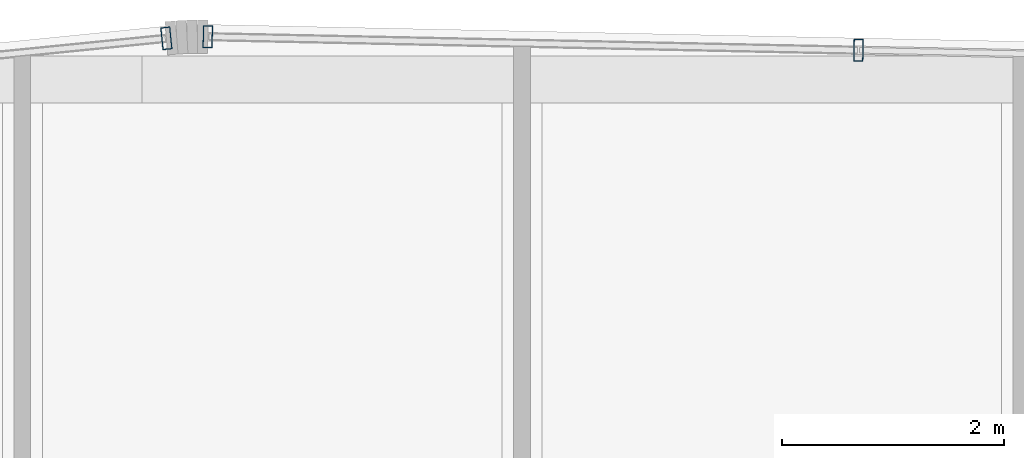
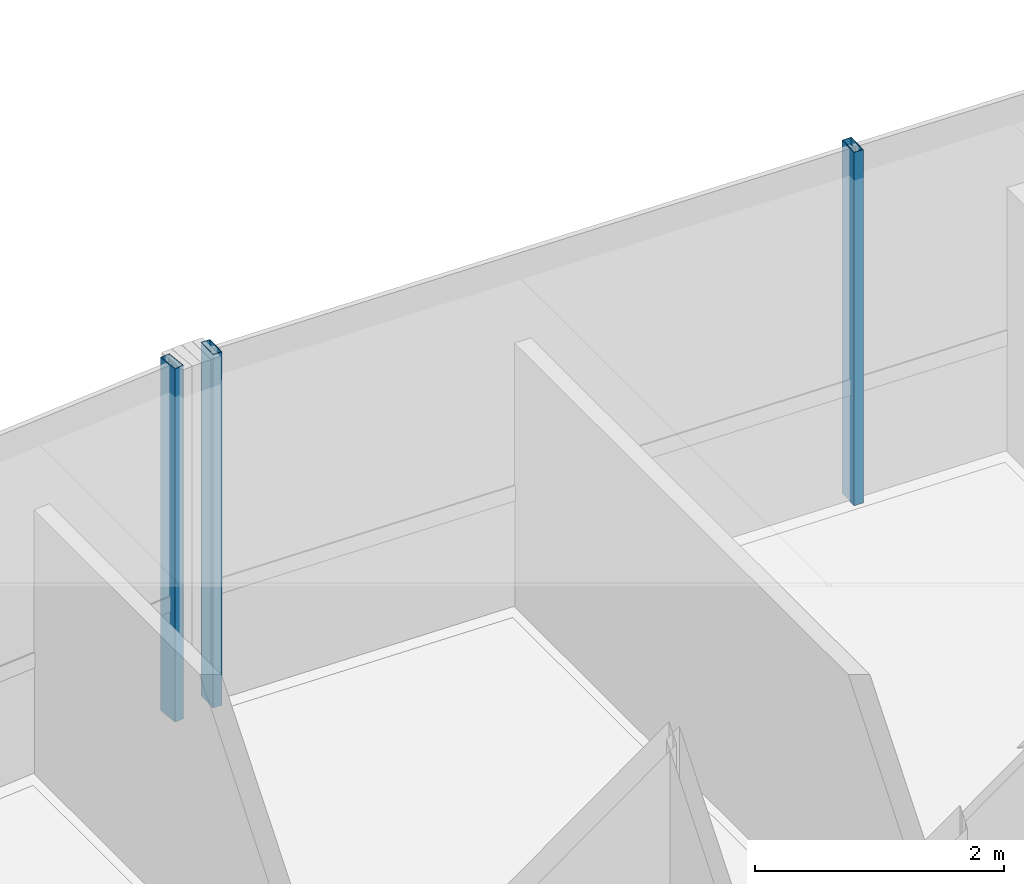
# One storey, part 25 of 50: 3 members, 2 elements without a shape of their own.
"""IFC4 building model written with IfcOpenShell, lengths in metres."""

from ifc_helpers import new_model, si_unit, direction, frame, origin, origin_2d, place, context, subcontext, project, spatial, hollow_rectangle, extrude, source, transform, mapped, material, material_profile, profile_set, type_object, element, aggregate, save


model = new_model("IFC4")

# Units and contexts
model_context = context("Model", 3, precision=1e-05, world=origin(), true_north=direction((0.0, 1.0)))
body_context = subcontext(model_context, "Body", "Model", "MODEL_VIEW")
ifc_project = project(units=[si_unit("LENGTHUNIT", "METRE"), si_unit("AREAUNIT", "SQUARE_METRE"), si_unit("VOLUMEUNIT", "CUBIC_METRE"), si_unit("PLANEANGLEUNIT", "RADIAN"), si_unit("MASSUNIT", "GRAM", prefix="KILO")], contexts=[model_context])

# Site, building, storey
site_placement = place(None, origin())
site = spatial("IfcSite", under=ifc_project, at=site_placement, CompositionType="ELEMENT")
building_placement = place(site_placement, origin())
building = spatial("IfcBuilding", under=site, at=building_placement, Name="Valdorenza Pilgrim Sanctuary Tower", CompositionType="ELEMENT")
storey_placement = place(building_placement, frame((0.0, 0.0, 26.0)))
storey = spatial("IfcBuildingStorey", under=building, at=storey_placement, Name="L05", CompositionType="ELEMENT", Elevation=26.0)

# Curtain wall, member
ifc_material_1 = material(Name="Curtain-wall IGU glazing", Category="glass")
curtain_wall_type = type_object("IfcCurtainWallType", Name="CW-SYS-02", PredefinedType="NOTDEFINED", material=ifc_material_1)
curtain_wall_1_placement = place(storey_placement, origin())
curtain_wall_1 = element("IfcCurtainWall", 1, at=curtain_wall_1_placement, inside=storey, type_object=curtain_wall_type, Name="L05 Curtain Wall CW-L05-1-6", PredefinedType="NOTDEFINED")
ifc_material_2 = material(Name="Anodised aluminium AW-6060", Category="aluminium")
ifc_material_profile = material_profile(ifc_material_2, hollow_rectangle(XDim=0.0849609375, YDim=0.199951171875, WallThickness=0.0048828125, at=origin_2d()), Name="ALU-M 200x85x5")
ifc_profile_set = profile_set([ifc_material_profile], Name="Anodised aluminium AW-6060")
member_type = type_object("IfcMemberType", Name="CW-MUL-02", PredefinedType="MULLION", material=ifc_profile_set)
shared_shape = source(origin(), body_context, "Body", "SweptSolid", [
    extrude(hollow_rectangle(XDim=0.0849609375, YDim=0.199951171875, WallThickness=0.0048828125, at=origin_2d()), origin(), (0.0, 0.0, 1.0), 3.4599609375),
])
member_1_placement = place(storey_placement, frame((-12.181884765625, 21.371337890625, 0.0), z_axis=(0.0, 0.0, 1.0), x_axis=(0.995038220239, 0.099493418189, 0.0)))
member_1 = element("IfcMember", 2, at=member_1_placement, type_object=member_type, Name="CW-L05-1-6 Mullion 4", PredefinedType="MULLION", context=body_context, shape_type="MappedRepresentation", body=[
    mapped(shared_shape, transform((0.0, 0.0, 0.0), x_axis=(1.0, 0.0, 0.0), y_axis=(0.0, 1.0, 0.0), z_axis=(0.0, 0.0, 1.0), scale=1.0)),
])
aggregate(curtain_wall_1, [member_1])

# Curtain wall, members
curtain_wall_2_placement = place(storey_placement, origin())
curtain_wall_2 = element("IfcCurtainWall", 3, at=curtain_wall_2_placement, inside=storey, type_object=curtain_wall_type, Name="L05 Curtain Wall CW-L05-1-11", PredefinedType="NOTDEFINED")
member_2_placement = place(storey_placement, frame((-11.808349609375, 21.385986328125, 0.0), z_axis=(0.0, 0.0, 1.0), x_axis=(0.999783234613, -0.020820273474, 0.0)))
member_2 = element("IfcMember", 4, at=member_2_placement, type_object=member_type, Name="CW-L05-1-11 Mullion 1", PredefinedType="MULLION", context=body_context, shape_type="MappedRepresentation", body=[
    mapped(shared_shape, transform((0.0, 0.0, 0.0), x_axis=(1.0, 0.0, 0.0), y_axis=(0.0, 1.0, 0.0), z_axis=(0.0, 0.0, 1.0), scale=1.0)),
])
member_3_placement = place(storey_placement, frame((-5.93994140625, 21.263671875, 0.0), z_axis=(0.0, 0.0, 1.0), x_axis=(0.999783234613, -0.020820273474, 0.0)))
member_3 = element("IfcMember", 5, at=member_3_placement, type_object=member_type, Name="CW-L05-1-11 Mullion 2", PredefinedType="MULLION", context=body_context, shape_type="MappedRepresentation", body=[
    mapped(shared_shape, transform((0.0, 0.0, 0.0), x_axis=(1.0, 0.0, 0.0), y_axis=(0.0, 1.0, 0.0), z_axis=(0.0, 0.0, 1.0), scale=1.0)),
])
aggregate(curtain_wall_2, [member_2, member_3])

save(model, "model.ifc")
